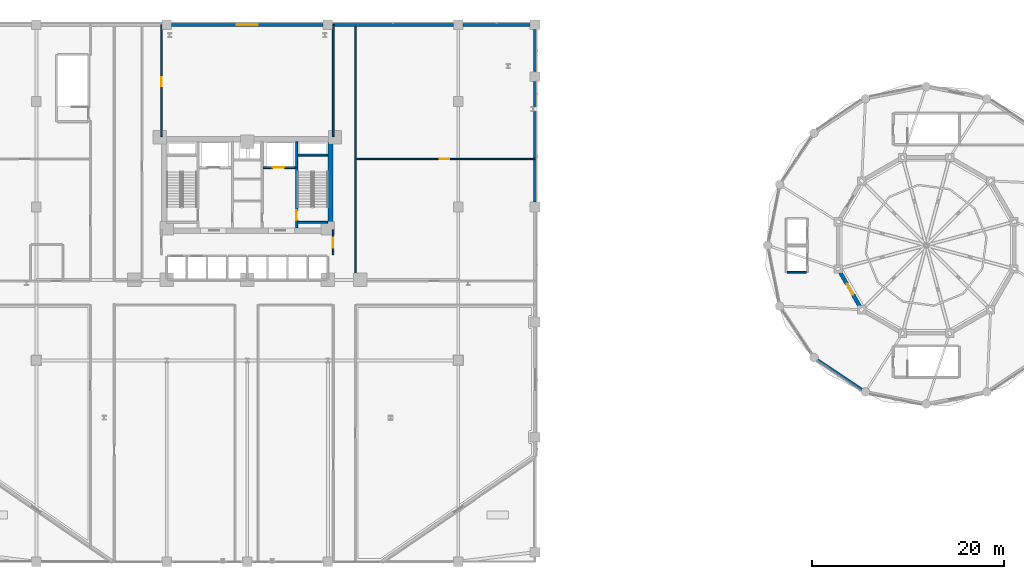
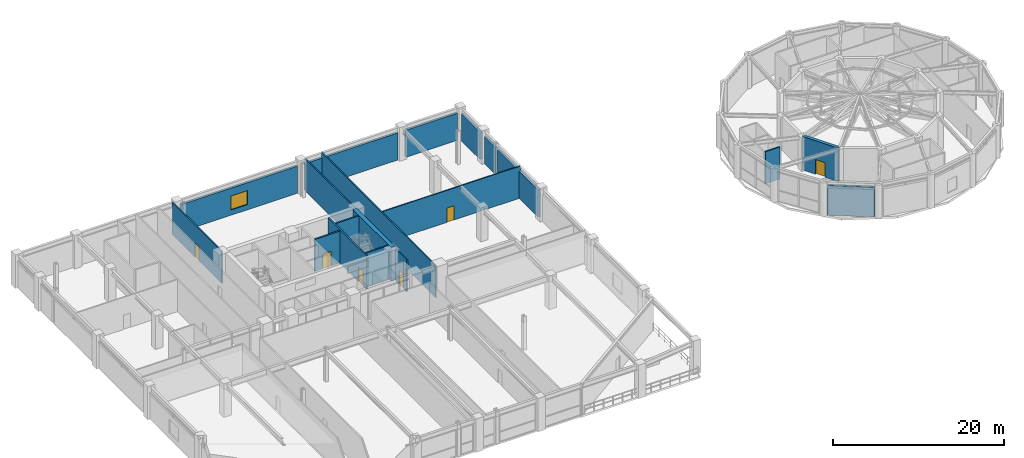
# One storey, part 17 of 26: 19 walls, 6 doors, 1 window, 7 openings.
"""IFC4 building model written with IfcOpenShell, lengths in metres."""

from ifc_helpers import new_model, si_unit, derived_unit, direction, frame, frame_2d, origin, place, context, subcontext, project, spatial, rectangle, extrude, material, layer, layer_set, type_object, element, fill, save


model = new_model("IFC4")

# Units and contexts
model_context = context("Model", 3, precision=1e-05, world=origin(), true_north=direction((0.0, 1.0)))
body_context = subcontext(model_context, "Body", "Model", "MODEL_VIEW")
ifc_project = project(units=[si_unit("LENGTHUNIT", "METRE"), si_unit("AREAUNIT", "SQUARE_METRE"), si_unit("VOLUMEUNIT", "CUBIC_METRE"), si_unit("PLANEANGLEUNIT", "RADIAN"), si_unit("MASSUNIT", "GRAM", prefix="KILO"), derived_unit("THERMALTRANSMITTANCEUNIT", [(si_unit("POWERUNIT", "WATT"), 1), (si_unit("LENGTHUNIT", "METRE"), -2), (si_unit("THERMODYNAMICTEMPERATUREUNIT", "KELVIN"), -1)])], contexts=[model_context])

# Site, building, storey
site_placement = place(None, origin())
site = spatial("IfcSite", under=ifc_project, at=site_placement, CompositionType="ELEMENT")
building_placement = place(site_placement, origin())
building = spatial("IfcBuilding", under=site, at=building_placement, Name="Korsvarv Bourse and Concert Hall", CompositionType="ELEMENT")
storey_placement = place(building_placement, frame((0.0, 0.0, 19.199951171875)))
storey = spatial("IfcBuildingStorey", under=building, at=storey_placement, Name="L04", CompositionType="ELEMENT", Elevation=19.199951171875)

# Wall, opening, door
ifc_material_1 = material(Name="Concrete C50/60", Category="concrete")
ifc_layer_1 = layer(ifc_material_1, 0.3798828125)
ifc_layer_set_1 = layer_set([ifc_layer_1], Name="Concrete C50/60")
wall_type_1 = type_object("IfcWallType", Name="WL-CORE-380", PredefinedType="SHEAR", material=ifc_layer_set_1)
wall_1_placement = place(storey_placement, frame((41.139892578125, 37.81005859375, 0.0), z_axis=(0.0, 0.0, 1.0), x_axis=(0.0, 1.0, 0.0)))
wall_1 = element("IfcWall", 1, at=wall_1_placement, inside=storey, type_object=wall_type_1, Name="L04 stair shaft structural wall W-L04-ST2-W", PredefinedType="SHEAR", context=body_context, shape_type="SweptSolid", body=[
    extrude(rectangle(XDim=8.97998046875, YDim=0.199951171875, at=frame_2d((4.489990234375, 0.0))), origin(), (0.0, 0.0, 1.0), 4.800048828125),
])
opening_1_placement = place(wall_1_placement, frame((0.820068359375, 0.0, 0.0)))
opening_1 = element("IfcOpeningElement", 2, at=opening_1_placement, cuts=wall_1, Name="Opening D-01", PredefinedType="OPENING", context=body_context, shape_type="SweptSolid", body=[
    extrude(rectangle(XDim=1.050048828125, YDim=2.10009765625, at=frame_2d((0.52490234375, 1.050048828125))), frame((0.0, 0.10986328125, 0.0), z_axis=(0.0, -1.0, 0.0), x_axis=(1.0, 0.0, 0.0)), (0.0, 0.0, 1.0), 0.219970703125),
])
ifc_material_2 = material(Name="Steel S355 fire door", Category="steel")
door_type_1 = type_object("IfcDoorType", Name="DR-FD60", OperationType="NOTDEFINED", PredefinedType="DOOR", material=ifc_material_2)
door_1_placement = place(opening_1_placement, frame((1.050048828125, 0.0, 0.0), z_axis=(0.0, 0.0, 1.0), x_axis=(-1.0, 0.0, 0.0)))
door_1 = element("IfcDoor", 3, at=door_1_placement, inside=storey, type_object=door_type_1, Name="L04 interior door DR-L04-ST2", OperationType="SINGLE_SWING_LEFT", OverallHeight=2.10009765625, OverallWidth=1.050048828125, PredefinedType="DOOR", context=body_context, shape_type="SweptSolid", body=[
    extrude(rectangle(XDim=1.050048828125, YDim=2.10009765625, at=frame_2d((0.52490234375, 1.050048828125))), frame((0.0, 0.02490234375, 0.0), z_axis=(0.0, -1.0, 0.0), x_axis=(1.0, 0.0, 0.0)), (0.0, 0.0, 1.0), 0.050048828125),
])
fill(opening_1, door_1)

# Walls
for number, where, z_axis, x_axis, name in (
    (4, (41.25, 45.39990234375, 0.0), (0.0, 0.0, 1.0), (1.0, 0.0, 0.0), "L04 stair shaft structural wall W-L04-ST2-N"),
    (5, (41.25, 38.39990234375, 0.0), (0.0, 0.0, 1.0), (1.0, 0.0, 0.0), "L04 stair shaft structural wall W-L04-ST2-S"),
):
    element("IfcWall", number, at=place(storey_placement, frame(where, z_axis=z_axis, x_axis=x_axis)), inside=storey, type_object=wall_type_1, Name=name, PredefinedType="SHEAR", context=body_context, shape_type="SweptSolid", body=[
        extrude(rectangle(XDim=3.139892578125, YDim=0.199951171875, at=frame_2d((1.56982421875, 0.0))), origin(), (0.0, 0.0, 1.0), 4.800048828125),
    ])
ifc_material_3 = material(Name="Concrete C60/75", Category="concrete")
ifc_layer_2 = layer(ifc_material_3, 0.550048828125)
ifc_layer_set_2 = layer_set([ifc_layer_2], Name="Concrete C60/75")
wall_type_2 = type_object("IfcWallType", Name="WL-CORE-550", PredefinedType="SHEAR", material=ifc_layer_set_2)
wall_2_placement = place(storey_placement, frame((44.675048828125, 37.800048828125, 0.0), z_axis=(0.0, 0.0, 1.0), x_axis=(0.0, 1.0, 0.0)))
element("IfcWall", 6, at=wall_2_placement, inside=storey, type_object=wall_type_2, Name="L04 East Core Shear Wall", PredefinedType="SHEAR", context=body_context, shape_type="SweptSolid", body=[
    extrude(rectangle(XDim=9.0, YDim=0.550048828125, at=frame_2d((4.5, 0.0))), origin(), (0.0, 0.0, 1.0), 4.800048828125),
])

# Wall, opening, door
ifc_layer_3 = layer(ifc_material_1, 0.39990234375)
ifc_layer_set_3 = layer_set([ifc_layer_3], Name="Concrete C50/60")
wall_type_3 = type_object("IfcWallType", Name="WL-DRM-400", PredefinedType="SOLIDWALL", material=ifc_layer_set_3)
wall_3_placement = place(storey_placement, frame((97.623779296875, 33.541259765625, 0.0), z_axis=(0.0, 0.0, 1.0), x_axis=(0.499988900423, -0.866031812033, 0.0)))
wall_3 = element("IfcWall", 7, at=wall_3_placement, inside=storey, type_object=wall_type_3, Name="L04 Concert Hall Acoustic Bowl Wall 7", PredefinedType="SOLIDWALL", context=body_context, shape_type="SweptSolid", body=[
    extrude(rectangle(XDim=4.91748046875, YDim=0.39990234375, at=frame_2d((2.458740234375, 0.0))), origin(), (0.0, 0.0, 1.0), 4.800048828125),
])
opening_2_placement = place(wall_3_placement, frame((1.808837890625, 0.0, 0.0)))
opening_2 = element("IfcOpeningElement", 8, at=opening_2_placement, cuts=wall_3, Name="Opening D-04", PredefinedType="OPENING", context=body_context, shape_type="SweptSolid", body=[
    extrude(rectangle(XDim=1.300048828125, YDim=2.10009765625, at=frame_2d((0.64990234375, 1.050048828125))), frame((0.0, 0.2099609375, 0.0), z_axis=(0.0, -1.0, 0.0), x_axis=(1.0, 0.0, 0.0)), (0.0, 0.0, 1.0), 0.419921875),
])
ifc_material_4 = material(Name="Glazed aluminium double corridor door", Category="aluminium")
door_type_2 = type_object("IfcDoorType", Name="DR-INT-2", OperationType="DOUBLE_DOOR_SINGLE_SWING", PredefinedType="DOOR", material=ifc_material_4)
door_2_placement = place(opening_2_placement, frame((1.300048828125, 0.0, 0.0), z_axis=(0.0, 0.0, 1.0), x_axis=(-1.0, 0.0, 0.0)))
door_2 = element("IfcDoor", 9, at=door_2_placement, inside=storey, type_object=door_type_2, Name="L04 Symphony Auditorium acoustic door DR-L04-CHB2", OperationType="SINGLE_SWING_RIGHT", OverallHeight=2.10009765625, OverallWidth=1.300048828125, PredefinedType="DOOR", context=body_context, shape_type="SweptSolid", body=[
    extrude(rectangle(XDim=1.300048828125, YDim=2.10009765625, at=frame_2d((0.64990234375, 1.050048828125))), frame((0.0, 0.02490234375, 0.0), z_axis=(0.0, -1.0, 0.0), x_axis=(1.0, 0.0, 0.0)), (0.0, 0.0, 1.0), 0.050048828125),
])
fill(opening_2, door_2)

# Walls
ifc_material_5 = material(Name="Precast concrete C45/55 with granite and terracotta", Category="concrete")
ifc_layer_4 = layer(ifc_material_5, 0.320068359375)
ifc_layer_set_4 = layer_set([ifc_layer_4], Name="Precast concrete C45/55 with granite and terracotta")
wall_type_4 = type_object("IfcWallType", Name="WL-EXT-POD", PredefinedType="SOLIDWALL", material=ifc_layer_set_4)
wall_4_placement = place(storey_placement, frame((66.0, 40.5048828125, 0.0), z_axis=(0.0, 0.0, 1.0), x_axis=(0.0, 1.0, 0.0)))
element("IfcWall", 10, at=wall_4_placement, inside=storey, type_object=wall_type_4, Name="L04 terracotta exterior wall EW-L04-G4-4", PredefinedType="SOLIDWALL", context=body_context, shape_type="SweptSolid", body=[
    extrude(rectangle(XDim=9.47021484375, YDim=0.320068359375, at=frame_2d((4.735107421875, 0.0))), origin(), (0.0, 0.0, 1.0), 3.880126953125),
])
wall_5_placement = place(storey_placement, frame((66.0, 50.459228515625, 0.0), z_axis=(0.0, 0.0, 1.0), x_axis=(0.0, 1.0, 0.0)))
element("IfcWall", 11, at=wall_5_placement, inside=storey, type_object=wall_type_4, Name="L04 terracotta exterior wall EW-L04-G4-5", PredefinedType="SOLIDWALL", context=body_context, shape_type="SweptSolid", body=[
    extrude(rectangle(XDim=2.6357421875, YDim=0.320068359375, at=frame_2d((1.31787109375, 0.0))), origin(), (0.0, 0.0, 1.0), 3.880126953125),
])
wall_6_placement = place(storey_placement, frame((66.0, 54.10498046875, 0.0), z_axis=(0.0, 0.0, 1.0), x_axis=(0.0, 1.0, 0.0)))
element("IfcWall", 12, at=wall_6_placement, inside=storey, type_object=wall_type_4, Name="L04 terracotta exterior wall EW-L04-G4-6", PredefinedType="SOLIDWALL", context=body_context, shape_type="SweptSolid", body=[
    extrude(rectangle(XDim=4.39013671875, YDim=0.320068359375, at=frame_2d((2.195068359375, 0.0))), origin(), (0.0, 0.0, 1.0), 3.880126953125),
])
wall_7_placement = place(storey_placement, frame((65.4951171875, 59.0, 0.0), z_axis=(0.0, 0.0, 1.0), x_axis=(-1.0, 0.0, 0.0)))
element("IfcWall", 13, at=wall_7_placement, inside=storey, type_object=wall_type_4, Name="L04 terracotta exterior wall EW-L04-G5-1", PredefinedType="SOLIDWALL", context=body_context, shape_type="SweptSolid", body=[
    extrude(rectangle(XDim=6.990234375, YDim=0.320068359375, at=frame_2d((3.4951171875, 0.0))), origin(), (0.0, 0.0, 1.0), 3.880126953125),
])
wall_8_placement = place(storey_placement, frame((57.4951171875, 59.0, 0.0), z_axis=(0.0, 0.0, 1.0), x_axis=(-1.0, 0.0, 0.0)))
element("IfcWall", 14, at=wall_8_placement, inside=storey, type_object=wall_type_4, Name="L04 terracotta exterior wall EW-L04-G5-2", PredefinedType="SOLIDWALL", context=body_context, shape_type="SweptSolid", body=[
    extrude(rectangle(XDim=12.590087890625, YDim=0.320068359375, at=frame_2d((6.294921875, 0.0))), origin(), (0.0, 0.0, 1.0), 3.880126953125),
])

# Wall, opening, window
wall_9_placement = place(storey_placement, frame((43.89501953125, 59.0, 0.0), z_axis=(0.0, 0.0, 1.0), x_axis=(-1.0, 0.0, 0.0)))
wall_9 = element("IfcWall", 15, at=wall_9_placement, inside=storey, type_object=wall_type_4, Name="L04 terracotta exterior wall EW-L04-G5-3", PredefinedType="SOLIDWALL", context=body_context, shape_type="SweptSolid", body=[
    extrude(rectangle(XDim=15.7900390625, YDim=0.320068359375, at=frame_2d((7.89501953125, 0.0))), origin(), (0.0, 0.0, 1.0), 3.880126953125),
])
opening_3_placement = place(wall_9_placement, frame((6.794921875, 0.0, 0.75)))
opening_3 = element("IfcOpeningElement", 16, at=opening_3_placement, cuts=wall_9, Name="Opening W-03", PredefinedType="OPENING", context=body_context, shape_type="SweptSolid", body=[
    extrude(rectangle(XDim=2.199951171875, YDim=2.0, at=frame_2d((1.10009765625, 1.0))), frame((0.0, 0.169921875, 0.0), z_axis=(0.0, -1.0, 0.0), x_axis=(1.0, 0.0, 0.0)), (0.0, 0.0, 1.0), 0.340087890625),
])
ifc_material_6 = material(Name="Thermally broken aluminium frame with triple low-E glass", Category="glass")
window_type = type_object("IfcWindowType", Name="WIN-POD1", PartitioningType="SINGLE_PANEL", PredefinedType="WINDOW", material=ifc_material_6)
window_placement = place(opening_3_placement, origin())
window = element("IfcWindow", 17, at=window_placement, inside=storey, type_object=window_type, Name="L04 punched facade window W-03", OverallHeight=2.0, OverallWidth=2.199951171875, PartitioningType="SINGLE_PANEL", PredefinedType="WINDOW", context=body_context, shape_type="SweptSolid", body=[
    extrude(rectangle(XDim=2.199951171875, YDim=2.0, at=frame_2d((1.10009765625, 1.0))), frame((0.0, 0.030029296875, 0.0), z_axis=(0.0, -1.0, 0.0), x_axis=(1.0, 0.0, 0.0)), (0.0, 0.0, 1.0), 0.06005859375),
])
fill(opening_3, window)

# Wall
ifc_material_7 = material(Name="Precast concrete C45/55 with fluted terracotta pier", Category="concrete")
ifc_layer_5 = layer(ifc_material_7, 0.280029296875)
ifc_layer_set_5 = layer_set([ifc_layer_5], Name="Precast concrete C45/55 with fluted terracotta pier")
wall_type_5 = type_object("IfcWallType", Name="WL-EXT-TC2", PredefinedType="SOLIDWALL", material=ifc_layer_set_5)
wall_10_placement = place(storey_placement, frame((95.4755859375, 24.044677734375, 0.0), z_axis=(0.0, 0.0, 1.0), x_axis=(0.831481142367, -0.555552976672, 0.0)))
element("IfcWall", 18, at=wall_10_placement, inside=storey, type_object=wall_type_5, Name="L04 terracotta exterior wall EW-L04-CHD11", PredefinedType="SOLIDWALL", context=body_context, shape_type="SweptSolid", body=[
    extrude(rectangle(XDim=5.547607421875, YDim=0.280029296875, at=frame_2d((2.77392578125, 0.0))), origin(), (0.0, 0.0, 1.0), 4.25),
])

# Wall, opening, door
ifc_material_8 = material(Name="Reinforced concrete blockwork C35/45 fire wall", Category="concrete")
ifc_layer_6 = layer(ifc_material_8, 0.199951171875)
ifc_layer_set_6 = layer_set([ifc_layer_6], Name="Reinforced concrete blockwork C35/45 fire wall")
wall_type_6 = type_object("IfcWallType", Name="WL-INT-EI120", PredefinedType="PARTITIONING", material=ifc_layer_set_6)
wall_11_placement = place(storey_placement, frame((37.64990234375, 44.10009765625, 0.0), z_axis=(0.0, 0.0, 1.0), x_axis=(1.0, 0.0, 0.0)))
wall_11 = element("IfcWall", 19, at=wall_11_placement, inside=storey, type_object=wall_type_6, Name="L04 interior partition wall W-L04-FF2-S", PredefinedType="PARTITIONING", context=body_context, shape_type="SweptSolid", body=[
    extrude(rectangle(XDim=3.380126953125, YDim=0.199951171875, at=frame_2d((1.68994140625, 0.0))), origin(), (0.0, 0.0, 1.0), 4.580078125),
])
opening_4_placement = place(wall_11_placement, frame((1.0, 0.0, 0.0)))
opening_4 = element("IfcOpeningElement", 20, at=opening_4_placement, cuts=wall_11, Name="Opening LD-1", PredefinedType="OPENING", context=body_context, shape_type="SweptSolid", body=[
    extrude(rectangle(XDim=1.199951171875, YDim=2.10009765625, at=frame_2d((0.60009765625, 1.050048828125))), frame((0.0, 0.10986328125, 0.0), z_axis=(0.0, -1.0, 0.0), x_axis=(1.0, 0.0, 0.0)), (0.0, 0.0, 1.0), 0.219970703125),
])
ifc_material_9 = material(Name="Stainless Steel S355 firefighting lift landing door", Category="steel")
door_type_3 = type_object("IfcDoorType", Name="DR-LIFT-FF", OperationType="DOUBLE_DOOR_SLIDING", PredefinedType="DOOR", material=ifc_material_9)
door_3_placement = place(opening_4_placement, origin())
door_3 = element("IfcDoor", 21, at=door_3_placement, inside=storey, type_object=door_type_3, Name="L04 lift sliding landing door LD-L04-FF2", OperationType="DOUBLE_DOOR_SLIDING", OverallHeight=2.10009765625, OverallWidth=1.199951171875, PredefinedType="DOOR", context=body_context, shape_type="SweptSolid", body=[
    extrude(rectangle(XDim=1.199951171875, YDim=2.10009765625, at=frame_2d((0.60009765625, 1.050048828125))), frame((0.0, 0.02490234375, 0.0), z_axis=(0.0, -1.0, 0.0), x_axis=(1.0, 0.0, 0.0)), (0.0, 0.0, 1.0), 0.050048828125),
])
fill(opening_4, door_3)

ifc_material_10 = material(Name="Double-stud fire-rated acoustic partition", Category="gypsum")
ifc_layer_7 = layer(ifc_material_10, 0.159912109375)
ifc_layer_set_7 = layer_set([ifc_layer_7], Name="Double-stud fire-rated acoustic partition")
wall_type_7 = type_object("IfcWallType", Name="WL-INT-EI60", PredefinedType="PARTITIONING", material=ifc_layer_set_7)
wall_12_placement = place(storey_placement, frame((44.9599609375, 35.0, 0.0), z_axis=(0.0, 0.0, 1.0), x_axis=(0.0, 1.0, 0.0)))
wall_12 = element("IfcWall", 22, at=wall_12_placement, inside=storey, type_object=wall_type_7, Name="L04 interior partition wall W-L04-LOB-E", PredefinedType="PARTITIONING", context=body_context, shape_type="SweptSolid", body=[
    extrude(rectangle(XDim=2.64990234375, YDim=0.159912109375, at=frame_2d((1.324951171875, 0.0))), origin(), (0.0, 0.0, 1.0), 4.580078125),
])
opening_5_placement = place(wall_12_placement, frame((0.75, 0.0, 0.0)))
opening_5 = element("IfcOpeningElement", 23, at=opening_5_placement, cuts=wall_12, Name="Opening D-01", PredefinedType="OPENING", context=body_context, shape_type="SweptSolid", body=[
    extrude(rectangle(XDim=1.050048828125, YDim=2.10009765625, at=frame_2d((0.52490234375, 1.050048828125))), frame((0.0, 0.08984375, 0.0), z_axis=(0.0, -1.0, 0.0), x_axis=(1.0, 0.0, 0.0)), (0.0, 0.0, 1.0), 0.179931640625),
])
door_4_placement = place(opening_5_placement, origin())
door_4 = element("IfcDoor", 24, at=door_4_placement, inside=storey, type_object=door_type_1, Name="L04 interior door DR-L04-LOBE", OperationType="SINGLE_SWING_LEFT", OverallHeight=2.10009765625, OverallWidth=1.050048828125, PredefinedType="DOOR", context=body_context, shape_type="SweptSolid", body=[
    extrude(rectangle(XDim=1.050048828125, YDim=2.10009765625, at=frame_2d((0.52490234375, 1.050048828125))), frame((0.0, 0.02490234375, 0.0), z_axis=(0.0, -1.0, 0.0), x_axis=(1.0, 0.0, 0.0)), (0.0, 0.0, 1.0), 0.050048828125),
])
fill(opening_5, door_4)

# Wall
wall_13_placement = place(storey_placement, frame((47.27490234375, 32.27001953125, 0.0), z_axis=(0.0, 0.0, 1.0), x_axis=(0.0, 1.0, 0.0)))
element("IfcWall", 25, at=wall_13_placement, inside=storey, type_object=wall_type_7, Name="L04 interior partition wall W-L04-PCOR-07", PredefinedType="PARTITIONING", context=body_context, shape_type="SweptSolid", body=[
    extrude(rectangle(XDim=26.7099609375, YDim=0.159912109375, at=frame_2d((13.35498046875, 0.0))), origin(), (0.0, 0.0, 1.0), 4.580078125),
])

# Wall, opening, door
wall_14_placement = place(storey_placement, frame((27.034912109375, 47.340087890625, 0.0), z_axis=(0.0, 0.0, 1.0), x_axis=(0.0, 1.0, 0.0)))
wall_14 = element("IfcWall", 26, at=wall_14_placement, inside=storey, type_object=wall_type_7, Name="L04 interior partition wall W-L04-PCOR-16", PredefinedType="PARTITIONING", context=body_context, shape_type="SweptSolid", body=[
    extrude(rectangle(XDim=11.639892578125, YDim=0.159912109375, at=frame_2d((5.81982421875, 0.0))), origin(), (0.0, 0.0, 1.0), 4.580078125),
])
opening_6_placement = place(wall_14_placement, frame((5.238037109375, 0.0, 0.0)))
opening_6 = element("IfcOpeningElement", 27, at=opening_6_placement, cuts=wall_14, Name="Opening D-02", PredefinedType="OPENING", context=body_context, shape_type="SweptSolid", body=[
    extrude(rectangle(XDim=0.949951171875, YDim=2.050048828125, at=frame_2d((0.47509765625, 1.02490234375))), frame((0.0, 0.08984375, 0.0), z_axis=(0.0, -1.0, 0.0), x_axis=(1.0, 0.0, 0.0)), (0.0, 0.0, 1.0), 0.179931640625),
])
ifc_material_11 = material(Name="Timber and steel acoustic fire door", Category="wood")
door_type_4 = type_object("IfcDoorType", Name="DR-FD30", OperationType="NOTDEFINED", PredefinedType="DOOR", material=ifc_material_11)
door_5_placement = place(opening_6_placement, origin())
door_5 = element("IfcDoor", 28, at=door_5_placement, inside=storey, type_object=door_type_4, Name="L04 interior door DR-L04-PCOR-CUR5", OperationType="SINGLE_SWING_RIGHT", OverallHeight=2.050048828125, OverallWidth=0.949951171875, PredefinedType="DOOR", context=body_context, shape_type="SweptSolid", body=[
    extrude(rectangle(XDim=0.949951171875, YDim=2.050048828125, at=frame_2d((0.47509765625, 1.02490234375))), frame((0.0, 0.02490234375, 0.0), z_axis=(0.0, -1.0, 0.0), x_axis=(1.0, 0.0, 0.0)), (0.0, 0.0, 1.0), 0.050048828125),
])
fill(opening_6, door_5)

# Walls
wall_15_placement = place(storey_placement, frame((44.965087890625, 47.340087890625, 0.0), z_axis=(0.0, 0.0, 1.0), x_axis=(0.0, 1.0, 0.0)))
element("IfcWall", 29, at=wall_15_placement, inside=storey, type_object=wall_type_7, Name="L04 interior partition wall W-L04-PCOR-17", PredefinedType="PARTITIONING", context=body_context, shape_type="SweptSolid", body=[
    extrude(rectangle(XDim=11.639892578125, YDim=0.159912109375, at=frame_2d((5.81982421875, 0.0))), origin(), (0.0, 0.0, 1.0), 4.580078125),
])
ifc_material_12 = material(Name="Gypsum-clad autoclaved concrete shaft wall C30/37", Category="concrete")
ifc_layer_8 = layer(ifc_material_12, 0.179931640625)
ifc_layer_set_8 = layer_set([ifc_layer_8], Name="Gypsum-clad autoclaved concrete shaft wall C30/37")
wall_type_8 = type_object("IfcWallType", Name="WL-INT-EI90", PredefinedType="PARTITIONING", material=ifc_layer_set_8)
wall_16_placement = place(storey_placement, frame((92.300048828125, 33.199951171875, 0.0), z_axis=(0.0, 0.0, 1.0), x_axis=(1.0, 0.0, 0.0)))
element("IfcWall", 30, at=wall_16_placement, inside=storey, type_object=wall_type_8, Name="L04 interior partition wall W-L04-CHLF-S", PredefinedType="PARTITIONING", context=body_context, shape_type="SweptSolid", body=[
    extrude(rectangle(XDim=2.0, YDim=0.179931640625, at=frame_2d((1.0, 0.0))), origin(), (0.0, 0.0, 1.0), 4.580078125),
])

# Wall, opening, door
ifc_material_13 = material(Name="Insulated steel-stud office acoustic partition", Category="gypsum")
ifc_layer_9 = layer(ifc_material_13, 0.139892578125)
ifc_layer_set_9 = layer_set([ifc_layer_9], Name="Insulated steel-stud office acoustic partition")
wall_type_9 = type_object("IfcWallType", Name="WL-INT-P1", PredefinedType="PARTITIONING", material=ifc_layer_set_9)
wall_17_placement = place(storey_placement, frame((47.35693359375, 45.0048828125, 0.0), z_axis=(0.0, 0.0, 1.0), x_axis=(1.0, 0.0, 0.0)))
wall_17 = element("IfcWall", 31, at=wall_17_placement, inside=storey, type_object=wall_type_9, Name="L04 interior partition wall W-L04-PCOR-21", PredefinedType="PARTITIONING", context=body_context, shape_type="SweptSolid", body=[
    extrude(rectangle(XDim=18.623046875, YDim=0.139892578125, at=frame_2d((9.3115234375, 0.0))), origin(), (0.0, 0.0, 1.0), 4.580078125),
])
opening_7_placement = place(wall_17_placement, frame((8.728759765625, 0.0, 0.0)))
opening_7 = element("IfcOpeningElement", 32, at=opening_7_placement, cuts=wall_17, Name="Opening D-03", PredefinedType="OPENING", context=body_context, shape_type="SweptSolid", body=[
    extrude(rectangle(XDim=0.949951171875, YDim=2.050048828125, at=frame_2d((0.47509765625, 1.02490234375))), frame((0.0, 0.080078125, 0.0), z_axis=(0.0, -1.0, 0.0), x_axis=(1.0, 0.0, 0.0)), (0.0, 0.0, 1.0), 0.159912109375),
])
ifc_material_14 = material(Name="Nordic oak acoustic office door", Category="wood")
door_type_5 = type_object("IfcDoorType", Name="DR-INT-1", OperationType="NOTDEFINED", PredefinedType="DOOR", material=ifc_material_14)
door_6_placement = place(opening_7_placement, origin())
door_6 = element("IfcDoor", 33, at=door_6_placement, inside=storey, type_object=door_type_5, Name="L04 interior door DR-L04-PCOR-SEM2", OperationType="SINGLE_SWING_LEFT", OverallHeight=2.050048828125, OverallWidth=0.949951171875, PredefinedType="DOOR", context=body_context, shape_type="SweptSolid", body=[
    extrude(rectangle(XDim=0.949951171875, YDim=2.050048828125, at=frame_2d((0.47509765625, 1.02490234375))), frame((0.0, 0.02490234375, 0.0), z_axis=(0.0, -1.0, 0.0), x_axis=(1.0, 0.0, 0.0)), (0.0, 0.0, 1.0), 0.050048828125),
])
fill(opening_7, door_6)

save(model, "model.ifc")
